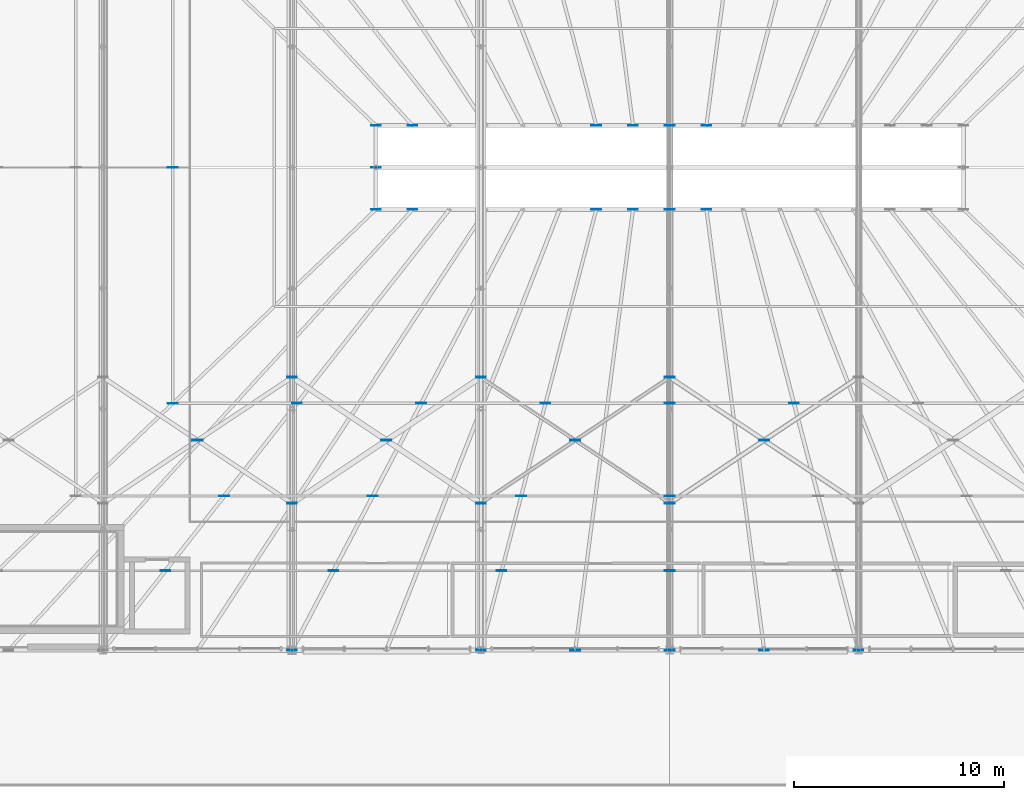
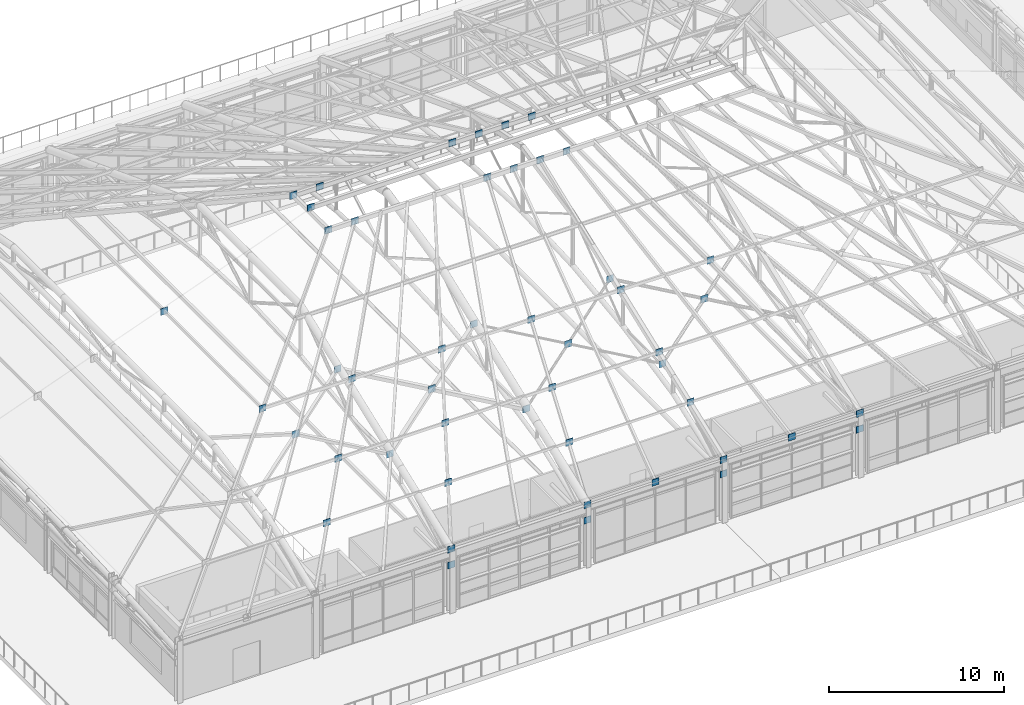
# One storey, part 144 of 168: 48 plates.
"""IFC4 building model written with IfcOpenShell, lengths in metres."""

from ifc_helpers import new_model, si_unit, direction, frame, origin, origin_2d, place, context, subcontext, project, spatial, rectangle, extrude, material, layer, layer_set, type_object, element, save


model = new_model("IFC4")

# Units and contexts
model_context = context("Model", 3, precision=1e-05, world=origin(), true_north=direction((0.0, 1.0)))
body_context = subcontext(model_context, "Body", "Model", "MODEL_VIEW")
ifc_project = project(units=[si_unit("LENGTHUNIT", "METRE"), si_unit("AREAUNIT", "SQUARE_METRE"), si_unit("VOLUMEUNIT", "CUBIC_METRE"), si_unit("PLANEANGLEUNIT", "RADIAN"), si_unit("MASSUNIT", "GRAM", prefix="KILO"), si_unit("THERMODYNAMICTEMPERATUREUNIT", "KELVIN"), si_unit("POWERUNIT", "WATT")], contexts=[model_context])

# Site, building, storey
site_placement = place(None, origin())
site = spatial("IfcSite", under=ifc_project, at=site_placement, CompositionType="ELEMENT")
building_placement = place(site_placement, origin())
building = spatial("IfcBuilding", under=site, at=building_placement, Name="Tepalcoro Natatorium and Aquatics Centre", CompositionType="ELEMENT")
storey_placement = place(building_placement, frame((0.0, 0.0, 10.199951171875)))
storey = spatial("IfcBuildingStorey", under=building, at=storey_placement, Name="L02", CompositionType="ELEMENT", Elevation=10.199951171875)

# Plates
ifc_material = material(Name="Plate Steel ASTM A572 Grade 50 (Fy 345 MPa)", Category="steel")
ifc_layer_1 = layer(ifc_material, 0.031982421875)
ifc_layer_set_1 = layer_set([ifc_layer_1], Name="Plate Steel ASTM A572 Grade 50 (Fy 345 MPa)")
plate_type_1 = type_object("IfcPlateType", Name="PL_CAP_32", PredefinedType="USERDEFINED", material=ifc_layer_set_1)
for number, where, z_axis, x_axis, name in (
    (1, (75.0, 36.0, 12.66015625), (0.0, 0.0, 1.0), (1.0, 0.0, 0.0), "Truss Node Cap Plate RNG_APEX"),
    (2, (80.0, 13.0, 4.090087890625), (0.0, 0.0, 1.0), (1.0, 0.0, 0.0), "Truss Node Cap Plate RAFS"),
    (3, (84.5, 13.0, 4.090087890625), (0.0, 0.0, 1.0), (1.0, 0.0, 0.0), "Truss Node Cap Plate RAFS"),
    (4, (89.0, 13.0, 4.090087890625), (0.0, 0.0, 1.0), (1.0, 0.0, 0.0), "Truss Node Cap Plate RAFS"),
    (5, (93.5, 13.0, 4.090087890625), (0.0, 0.0, 1.0), (1.0, 0.0, 0.0), "Truss Node Cap Plate RAFS"),
    (6, (65.320068359375, 24.760009765625, 8.82421875), (0.0, 0.0, 1.0), (1.0, 0.0, 0.0), "Truss Node Cap Plate PURS"),
    (7, (71.0, 13.0, 4.1416015625), (0.0, 0.0, 1.0), (1.0, 0.0, 0.0), "Truss Node Cap Plate V1T_2"),
    (8, (71.0, 13.0, 3.04150390625), (0.0, 0.0, 1.0), (1.0, 0.0, 0.0), "Truss Node Cap Plate V1B_2"),
    (9, (80.0, 13.0, 3.01611328125), (0.0, 0.0, 1.0), (1.0, 0.0, 0.0), "Truss Node Cap Plate V1B_3"),
    (10, (89.0, 13.0, 3.094970703125), (0.0, 0.0, 1.0), (1.0, 0.0, 0.0), "Truss Node Cap Plate V1B_4"),
    (11, (98.0, 13.0, 4.170166015625), (0.0, 0.0, 1.0), (1.0, 0.0, 0.0), "Truss Node Cap Plate V1T_5"),
    (12, (98.0, 13.0, 3.070068359375), (0.0, 0.0, 1.0), (1.0, 0.0, 0.0), "Truss Node Cap Plate V1B_5"),
    (13, (71.0, 20.0, 6.538330078125), (0.0, 0.0, 1.0), (1.0, 0.0, 0.0), "Truss Node Cap Plate BR2"),
    (14, (80.0, 20.0, 6.538330078125), (0.0, 0.0, 1.0), (1.0, 0.0, 0.0), "Truss Node Cap Plate BR2"),
    (15, (89.0, 20.0, 6.538330078125), (0.0, 0.0, 1.0), (1.0, 0.0, 0.0), "Truss Node Cap Plate BR2"),
):
    element("IfcPlate", number, at=place(storey_placement, frame(where, z_axis=z_axis, x_axis=x_axis)), inside=storey, type_object=plate_type_1, Name=name, ObjectType="CAP PLATE", PredefinedType="USERDEFINED", context=body_context, shape_type="SweptSolid", body=[
        extrude(rectangle(XDim=0.4599609375, YDim=0.031982421875, at=origin_2d()), origin(), (0.0, 0.0, 1.0), 0.4599609375),
    ])
ifc_layer_2 = layer(ifc_material, 0.0400390625)
ifc_layer_set_2 = layer_set([ifc_layer_2], Name="Plate Steel ASTM A572 Grade 50 (Fy 345 MPa)")
plate_type_2 = type_object("IfcPlateType", Name="PL_GUSSET_40", PredefinedType="USERDEFINED", material=ifc_layer_set_2)
for number, where, z_axis, x_axis, name in (
    (16, (75.0, 34.0, 12.295166015625), (0.0, 0.0, 1.0), (1.0, 0.0, 0.0), "Truss Node Gusset Plate HIP_SW"),
    (17, (75.0, 38.0, 12.295166015625), (0.0, 0.0, 1.0), (1.0, 0.0, 0.0), "Truss Node Gusset Plate HIP_NW"),
    (18, (76.75, 34.0, 12.295166015625), (0.0, 0.0, 1.0), (1.0, 0.0, 0.0), "Truss Node Gusset Plate RAFS"),
    (19, (76.75, 38.0, 12.295166015625), (0.0, 0.0, 1.0), (1.0, 0.0, 0.0), "Truss Node Gusset Plate RAFN"),
    (20, (85.5, 34.0, 12.295166015625), (0.0, 0.0, 1.0), (1.0, 0.0, 0.0), "Truss Node Gusset Plate RAFS"),
    (21, (85.5, 38.0, 12.295166015625), (0.0, 0.0, 1.0), (1.0, 0.0, 0.0), "Truss Node Gusset Plate RAFN"),
    (22, (87.25, 34.0, 12.295166015625), (0.0, 0.0, 1.0), (1.0, 0.0, 0.0), "Truss Node Gusset Plate RAFS"),
    (23, (87.25, 38.0, 12.295166015625), (0.0, 0.0, 1.0), (1.0, 0.0, 0.0), "Truss Node Gusset Plate RAFN"),
    (24, (89.0, 34.0, 12.295166015625), (0.0, 0.0, 1.0), (1.0, 0.0, 0.0), "Truss Node Gusset Plate RAFS"),
    (25, (89.0, 38.0, 12.295166015625), (0.0, 0.0, 1.0), (1.0, 0.0, 0.0), "Truss Node Gusset Plate RAFN"),
    (26, (90.75, 34.0, 12.295166015625), (0.0, 0.0, 1.0), (1.0, 0.0, 0.0), "Truss Node Gusset Plate RAFS"),
    (27, (90.75, 38.0, 12.295166015625), (0.0, 0.0, 1.0), (1.0, 0.0, 0.0), "Truss Node Gusset Plate RAFN"),
    (28, (64.969970703125, 16.780029296875, 5.806640625), (0.0, 0.0, 1.0), (1.0, 0.0, 0.0), "Truss Node Gusset Plate PURS"),
    (29, (72.97998046875, 16.780029296875, 5.806640625), (0.0, 0.0, 1.0), (1.0, 0.0, 0.0), "Truss Node Gusset Plate PURS"),
    (30, (80.989990234375, 16.780029296875, 5.806640625), (0.0, 0.0, 1.0), (1.0, 0.0, 0.0), "Truss Node Gusset Plate PURS"),
    (31, (89.0, 16.780029296875, 5.806640625), (0.0, 0.0, 1.0), (1.0, 0.0, 0.0), "Truss Node Gusset Plate PURS"),
    (32, (67.77490234375, 20.35009765625, 7.150146484375), (0.0, 0.0, 1.0), (1.0, 0.0, 0.0), "Truss Node Gusset Plate PURS"),
    (33, (74.85009765625, 20.35009765625, 7.150146484375), (0.0, 0.0, 1.0), (1.0, 0.0, 0.0), "Truss Node Gusset Plate PURS"),
    (34, (81.925048828125, 20.35009765625, 7.150146484375), (0.0, 0.0, 1.0), (1.0, 0.0, 0.0), "Truss Node Gusset Plate PURS"),
    (35, (89.0, 20.35009765625, 7.150146484375), (0.0, 0.0, 1.0), (1.0, 0.0, 0.0), "Truss Node Gusset Plate PURS"),
    (36, (71.239990234375, 24.760009765625, 8.82421875), (0.0, 0.0, 1.0), (1.0, 0.0, 0.0), "Truss Node Gusset Plate PURS"),
    (37, (77.159912109375, 24.760009765625, 8.82421875), (0.0, 0.0, 1.0), (1.0, 0.0, 0.0), "Truss Node Gusset Plate PURS"),
    (38, (83.080078125, 24.760009765625, 8.82421875), (0.0, 0.0, 1.0), (1.0, 0.0, 0.0), "Truss Node Gusset Plate PURS"),
    (39, (89.0, 24.760009765625, 8.82421875), (0.0, 0.0, 1.0), (1.0, 0.0, 0.0), "Truss Node Gusset Plate PURS"),
    (40, (94.919921875, 24.760009765625, 8.82421875), (0.0, 0.0, 1.0), (1.0, 0.0, 0.0), "Truss Node Gusset Plate PURS"),
    (41, (65.320068359375, 36.0, 8.80322265625), (0.0, 0.0, 1.0), (1.0, 0.0, 0.0), "Truss Node Gusset Plate PURW"),
):
    element("IfcPlate", number, at=place(storey_placement, frame(where, z_axis=z_axis, x_axis=x_axis)), inside=storey, type_object=plate_type_2, Name=name, ObjectType="GUSSET PLATE", PredefinedType="USERDEFINED", context=body_context, shape_type="SweptSolid", body=[
        extrude(rectangle(XDim=0.4599609375, YDim=0.0400390625, at=origin_2d()), origin(), (0.0, 0.0, 1.0), 0.4599609375),
    ])
plate_1_placement = place(storey_placement, frame((66.5, 23.0, 7.674072265625), z_axis=(0.0, 0.0, 1.0), x_axis=(1.0, 0.0, 0.0)))
element("IfcPlate", 42, at=plate_1_placement, inside=storey, type_object=plate_type_2, Name="V1 Pyramid X-Brace Crossing Node Plate GP2", ObjectType="GUSSET PLATE", PredefinedType="USERDEFINED", context=body_context, shape_type="SweptSolid", body=[
    extrude(rectangle(XDim=0.47998046875, YDim=0.0400390625, at=origin_2d()), origin(), (0.0, 0.0, 1.0), 0.47998046875),
])
plate_2_placement = place(storey_placement, frame((71.0, 26.0, 8.829833984375), z_axis=(0.0, 0.0, 1.0), x_axis=(1.0, 0.0, 0.0)))
element("IfcPlate", 43, at=plate_2_placement, inside=storey, type_object=plate_type_2, Name="Truss Node Gusset Plate BR1", ObjectType="GUSSET PLATE", PredefinedType="USERDEFINED", context=body_context, shape_type="SweptSolid", body=[
    extrude(rectangle(XDim=0.4599609375, YDim=0.0400390625, at=origin_2d()), origin(), (0.0, 0.0, 1.0), 0.4599609375),
])
plate_3_placement = place(storey_placement, frame((75.5, 23.0, 7.674072265625), z_axis=(0.0, 0.0, 1.0), x_axis=(1.0, 0.0, 0.0)))
element("IfcPlate", 44, at=plate_3_placement, inside=storey, type_object=plate_type_2, Name="V1 Pyramid X-Brace Crossing Node Plate GP2", ObjectType="GUSSET PLATE", PredefinedType="USERDEFINED", context=body_context, shape_type="SweptSolid", body=[
    extrude(rectangle(XDim=0.47998046875, YDim=0.0400390625, at=origin_2d()), origin(), (0.0, 0.0, 1.0), 0.47998046875),
])
plate_4_placement = place(storey_placement, frame((80.0, 26.0, 8.829833984375), z_axis=(0.0, 0.0, 1.0), x_axis=(1.0, 0.0, 0.0)))
element("IfcPlate", 45, at=plate_4_placement, inside=storey, type_object=plate_type_2, Name="Truss Node Gusset Plate BR1", ObjectType="GUSSET PLATE", PredefinedType="USERDEFINED", context=body_context, shape_type="SweptSolid", body=[
    extrude(rectangle(XDim=0.4599609375, YDim=0.0400390625, at=origin_2d()), origin(), (0.0, 0.0, 1.0), 0.4599609375),
])
plate_5_placement = place(storey_placement, frame((84.5, 23.0, 7.674072265625), z_axis=(0.0, 0.0, 1.0), x_axis=(1.0, 0.0, 0.0)))
element("IfcPlate", 46, at=plate_5_placement, inside=storey, type_object=plate_type_2, Name="V1 Pyramid X-Brace Crossing Node Plate GP2", ObjectType="GUSSET PLATE", PredefinedType="USERDEFINED", context=body_context, shape_type="SweptSolid", body=[
    extrude(rectangle(XDim=0.47998046875, YDim=0.0400390625, at=origin_2d()), origin(), (0.0, 0.0, 1.0), 0.47998046875),
])
plate_6_placement = place(storey_placement, frame((89.0, 26.0, 8.829833984375), z_axis=(0.0, 0.0, 1.0), x_axis=(1.0, 0.0, 0.0)))
element("IfcPlate", 47, at=plate_6_placement, inside=storey, type_object=plate_type_2, Name="Truss Node Gusset Plate BR1", ObjectType="GUSSET PLATE", PredefinedType="USERDEFINED", context=body_context, shape_type="SweptSolid", body=[
    extrude(rectangle(XDim=0.4599609375, YDim=0.0400390625, at=origin_2d()), origin(), (0.0, 0.0, 1.0), 0.4599609375),
])
plate_7_placement = place(storey_placement, frame((93.5, 23.0, 7.674072265625), z_axis=(0.0, 0.0, 1.0), x_axis=(1.0, 0.0, 0.0)))
element("IfcPlate", 48, at=plate_7_placement, inside=storey, type_object=plate_type_2, Name="V1 Pyramid X-Brace Crossing Node Plate GP2", ObjectType="GUSSET PLATE", PredefinedType="USERDEFINED", context=body_context, shape_type="SweptSolid", body=[
    extrude(rectangle(XDim=0.47998046875, YDim=0.0400390625, at=origin_2d()), origin(), (0.0, 0.0, 1.0), 0.47998046875),
])

save(model, "model.ifc")
